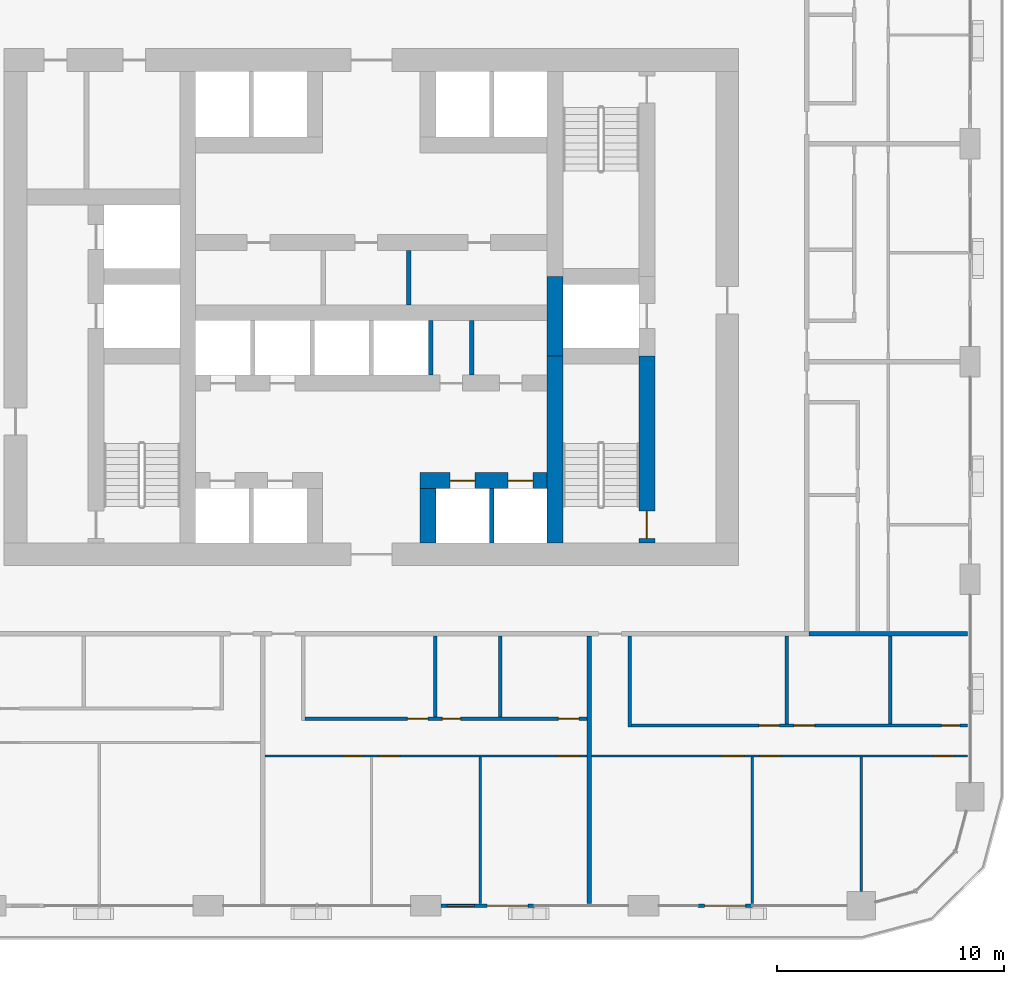
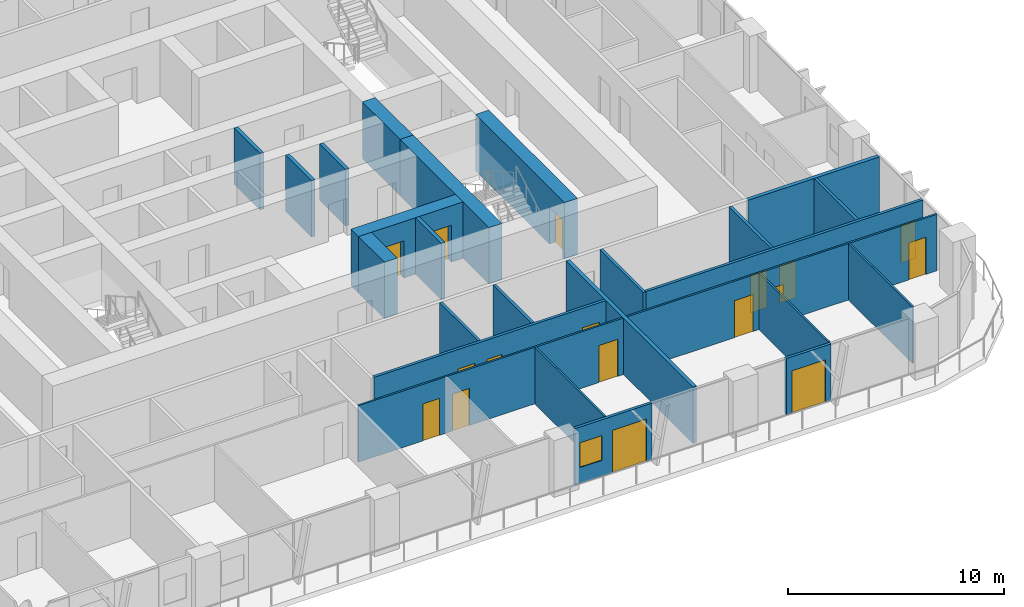
# One storey, part 11 of 21: 25 walls, 17 doors, 1 window, 18 openings.
"""IFC4 building model written with IfcOpenShell, lengths in metres."""

from ifc_helpers import new_model, si_unit, direction, frame, frame_2d, origin, place, context, subcontext, project, spatial, rectangle, extrude, material, layer, layer_set, type_object, element, fill, save


model = new_model("IFC4")

# Units and contexts
model_context = context("Model", 3, precision=1e-05, world=origin(), true_north=direction((0.0, 1.0)))
body_context = subcontext(model_context, "Body", "Model", "MODEL_VIEW")
ifc_project = project(units=[si_unit("LENGTHUNIT", "METRE"), si_unit("AREAUNIT", "SQUARE_METRE"), si_unit("VOLUMEUNIT", "CUBIC_METRE"), si_unit("PLANEANGLEUNIT", "RADIAN"), si_unit("MASSUNIT", "GRAM", prefix="KILO")], contexts=[model_context])

# Site, building, storey
site_placement = place(None, origin())
site = spatial("IfcSite", under=ifc_project, at=site_placement, CompositionType="ELEMENT")
building_placement = place(site_placement, origin())
building = spatial("IfcBuilding", under=site, at=building_placement, Name="Madar Terraces", CompositionType="ELEMENT")
storey_placement = place(building_placement, frame((0.0, 0.0, 43.39990234375)))
storey = spatial("IfcBuildingStorey", under=building, at=storey_placement, Name="L10", CompositionType="ELEMENT", Elevation=43.39990234375)

# Walls
ifc_material_1 = material(Name="Concrete C80/95", Category="concrete")
ifc_layer_1 = layer(ifc_material_1, 0.699951171875)
ifc_layer_set_1 = layer_set([ifc_layer_1], Name="Concrete C80/95 (CIW1 RC wall 700)")
wall_type_1 = type_object("IfcWallType", Name="CIW1 RC wall 700", PredefinedType="SHEAR", material=ifc_layer_set_1)
wall_1_placement = place(storey_placement, frame((39.300048828125, 16.0, 0.0), z_axis=(0.0, 0.0, 1.0), x_axis=(0.0, 1.0, 0.0)))
element("IfcWall", 1, at=wall_1_placement, inside=storey, type_object=wall_type_1, Name="CORE SHAFT WALL", PredefinedType="SHEAR", context=body_context, shape_type="SweptSolid", body=[
    extrude(rectangle(XDim=8.25, YDim=0.699951171875, at=frame_2d((4.125, 0.0))), origin(), (0.0, 0.0, 1.0), 3.2001953125),
])
wall_2_placement = place(storey_placement, frame((39.300048828125, 24.25, 0.0), z_axis=(0.0, 0.0, 1.0), x_axis=(0.0, 1.0, 0.0)))
element("IfcWall", 2, at=wall_2_placement, inside=storey, type_object=wall_type_1, Name="CORE SHAFT WALL", PredefinedType="SHEAR", context=body_context, shape_type="SweptSolid", body=[
    extrude(rectangle(XDim=3.5, YDim=0.699951171875, at=frame_2d((1.75, 0.0))), origin(), (0.0, 0.0, 1.0), 3.2001953125),
])

# Wall, opening, door
wall_3_placement = place(storey_placement, frame((43.35009765625, 16.0, 0.0), z_axis=(0.0, 0.0, 1.0), x_axis=(0.0, 1.0, 0.0)))
wall_3 = element("IfcWall", 3, at=wall_3_placement, inside=storey, type_object=wall_type_1, Name="CORE SHAFT WALL", PredefinedType="SHEAR", context=body_context, shape_type="SweptSolid", body=[
    extrude(rectangle(XDim=8.25, YDim=0.699951171875, at=frame_2d((4.125, 0.0))), origin(), (0.0, 0.0, 1.0), 3.2001953125),
])
opening_1_placement = place(wall_3_placement, frame((0.199951171875, 0.0, 0.0)))
opening_1 = element("IfcOpeningElement", 4, at=opening_1_placement, cuts=wall_3, Name="Opening SD1", PredefinedType="OPENING", context=body_context, shape_type="SweptSolid", body=[
    extrude(rectangle(XDim=1.199951171875, YDim=2.10009765625, at=frame_2d((0.60009765625, 1.050048828125))), frame((0.0, 0.35986328125, 0.0), z_axis=(0.0, -1.0, 0.0), x_axis=(1.0, 0.0, 0.0)), (0.0, 0.0, 1.0), 0.719970703125),
])
ifc_material_2 = material(Name="Steel door leaf", Category="steel")
door_type_1 = type_object("IfcDoorType", Name="Stair door 1200 x 2100", OperationType="NOTDEFINED", PredefinedType="DOOR", material=ifc_material_2)
door_1_placement = place(opening_1_placement, origin())
door_1 = element("IfcDoor", 5, at=door_1_placement, inside=storey, type_object=door_type_1, Name="STAIR DOOR", OperationType="SINGLE_SWING_LEFT", OverallHeight=2.10009765625, OverallWidth=1.199951171875, PredefinedType="DOOR", context=body_context, shape_type="SweptSolid", body=[
    extrude(rectangle(XDim=1.199951171875, YDim=2.10009765625, at=frame_2d((0.60009765625, 1.050048828125))), frame((0.0, 0.02490234375, 0.0), z_axis=(0.0, -1.0, 0.0), x_axis=(1.0, 0.0, 0.0)), (0.0, 0.0, 1.0), 0.050048828125),
])
fill(opening_1, door_1)

# Wall, openings, doors
wall_4_placement = place(storey_placement, frame((33.35009765625, 18.75, 0.0), z_axis=(0.0, 0.0, 1.0), x_axis=(1.0, 0.0, 0.0)))
wall_4 = element("IfcWall", 6, at=wall_4_placement, inside=storey, type_object=wall_type_1, Name="CORE SHAFT WALL", PredefinedType="SHEAR", context=body_context, shape_type="SweptSolid", body=[
    extrude(rectangle(XDim=5.599853515625, YDim=0.699951171875, at=frame_2d((2.7998046875, 0.0))), origin(), (0.0, 0.0, 1.0), 3.2001953125),
])
opening_2_placement = place(wall_4_placement, frame((1.324951171875, 0.0, 0.0)))
opening_2 = element("IfcOpeningElement", 7, at=opening_2_placement, cuts=wall_4, Name="Opening LD", PredefinedType="OPENING", context=body_context, shape_type="SweptSolid", body=[
    extrude(rectangle(XDim=1.10009765625, YDim=2.10009765625, at=frame_2d((0.550048828125, 1.050048828125))), frame((0.0, 0.35986328125, 0.0), z_axis=(0.0, -1.0, 0.0), x_axis=(1.0, 0.0, 0.0)), (0.0, 0.0, 1.0), 0.719970703125),
])
opening_3_placement = place(wall_4_placement, frame((3.875, 0.0, 0.0)))
opening_3 = element("IfcOpeningElement", 8, at=opening_3_placement, cuts=wall_4, Name="Opening LD", PredefinedType="OPENING", context=body_context, shape_type="SweptSolid", body=[
    extrude(rectangle(XDim=1.10009765625, YDim=2.10009765625, at=frame_2d((0.550048828125, 1.050048828125))), frame((0.0, 0.35986328125, 0.0), z_axis=(0.0, -1.0, 0.0), x_axis=(1.0, 0.0, 0.0)), (0.0, 0.0, 1.0), 0.719970703125),
])
ifc_material_3 = material(Name="Stainless steel panel", Category="steel")
door_type_2 = type_object("IfcDoorType", Name="Lift landing door 1100 x 2100", OperationType="DOUBLE_DOOR_SLIDING", PredefinedType="DOOR", material=ifc_material_3)
door_2_placement = place(opening_2_placement, origin())
door_2 = element("IfcDoor", 9, at=door_2_placement, inside=storey, type_object=door_type_2, Name="LIFT LANDING DOOR", OperationType="DOUBLE_DOOR_SLIDING", OverallHeight=2.10009765625, OverallWidth=1.10009765625, PredefinedType="DOOR", context=body_context, shape_type="SweptSolid", body=[
    extrude(rectangle(XDim=1.10009765625, YDim=2.10009765625, at=frame_2d((0.550048828125, 1.050048828125))), frame((0.0, 0.02490234375, 0.0), z_axis=(0.0, -1.0, 0.0), x_axis=(1.0, 0.0, 0.0)), (0.0, 0.0, 1.0), 0.050048828125),
])
fill(opening_2, door_2)
door_3_placement = place(opening_3_placement, origin())
door_3 = element("IfcDoor", 10, at=door_3_placement, inside=storey, type_object=door_type_2, Name="LIFT LANDING DOOR", OperationType="DOUBLE_DOOR_SLIDING", OverallHeight=2.10009765625, OverallWidth=1.10009765625, PredefinedType="DOOR", context=body_context, shape_type="SweptSolid", body=[
    extrude(rectangle(XDim=1.10009765625, YDim=2.10009765625, at=frame_2d((0.550048828125, 1.050048828125))), frame((0.0, 0.02490234375, 0.0), z_axis=(0.0, -1.0, 0.0), x_axis=(1.0, 0.0, 0.0)), (0.0, 0.0, 1.0), 0.050048828125),
])
fill(opening_3, door_3)

# Walls
wall_5_placement = place(storey_placement, frame((33.699951171875, 16.0, 0.0), z_axis=(0.0, 0.0, 1.0), x_axis=(0.0, 1.0, 0.0)))
element("IfcWall", 11, at=wall_5_placement, inside=storey, type_object=wall_type_1, Name="CORE SHAFT WALL", PredefinedType="SHEAR", context=body_context, shape_type="SweptSolid", body=[
    extrude(rectangle(XDim=2.39990234375, YDim=0.699951171875, at=frame_2d((1.199951171875, 0.0))), origin(), (0.0, 0.0, 1.0), 3.2001953125),
])
ifc_material_4 = material(Name="Masonry blockwork", Category="masonry")
ifc_layer_2 = layer(ifc_material_4, 0.199951171875)
ifc_layer_set_2 = layer_set([ifc_layer_2], Name="Core partition 200 blockwork")
wall_type_2 = type_object("IfcWallType", Name="Core partition 200 blockwork", PredefinedType="PARTITIONING", material=ifc_layer_set_2)
wall_6_placement = place(storey_placement, frame((35.6279296875, 23.39990234375, 0.0), z_axis=(0.0, 0.0, 1.0), x_axis=(0.0, 1.0, 0.0)))
element("IfcWall", 12, at=wall_6_placement, inside=storey, type_object=wall_type_2, Name="SERVICE ROOM PARTITION", PredefinedType="PARTITIONING", context=body_context, shape_type="SweptSolid", body=[
    extrude(rectangle(XDim=2.400146484375, YDim=0.199951171875, at=frame_2d((1.2001953125, 0.0))), origin(), (0.0, 0.0, 1.0), 3.2001953125),
])
wall_7_placement = place(storey_placement, frame((32.853271484375, 26.5, 0.0), z_axis=(0.0, 0.0, 1.0), x_axis=(0.0, 1.0, 0.0)))
element("IfcWall", 13, at=wall_7_placement, inside=storey, type_object=wall_type_2, Name="SERVICE ROOM PARTITION", PredefinedType="PARTITIONING", context=body_context, shape_type="SweptSolid", body=[
    extrude(rectangle(XDim=2.39990234375, YDim=0.199951171875, at=frame_2d((1.199951171875, 0.0))), origin(), (0.0, 0.0, 1.0), 3.2001953125),
])
ifc_material_5 = material(Name="Concrete C40/50", Category="concrete")
ifc_layer_3 = layer(ifc_material_5, 0.199951171875)
ifc_layer_set_3 = layer_set([ifc_layer_3], Name="Core shaft dividing wall 200 C40/50")
wall_type_3 = type_object("IfcWallType", Name="Core shaft dividing wall 200 C40/50", PredefinedType="SOLIDWALL", material=ifc_layer_set_3)
wall_8_placement = place(storey_placement, frame((33.816650390625, 23.39990234375, 0.0), z_axis=(0.0, 0.0, 1.0), x_axis=(0.0, 1.0, 0.0)))
element("IfcWall", 14, at=wall_8_placement, inside=storey, type_object=wall_type_3, Name="SHAFT DIVIDING WALL", PredefinedType="SOLIDWALL", context=body_context, shape_type="SweptSolid", body=[
    extrude(rectangle(XDim=2.400146484375, YDim=0.199951171875, at=frame_2d((1.2001953125, 0.0))), origin(), (0.0, 0.0, 1.0), 3.2001953125),
])
wall_9_placement = place(storey_placement, frame((36.5, 16.0, 0.0), z_axis=(0.0, 0.0, 1.0), x_axis=(0.0, 1.0, 0.0)))
element("IfcWall", 15, at=wall_9_placement, inside=storey, type_object=wall_type_3, Name="SHAFT DIVIDING WALL", PredefinedType="SOLIDWALL", context=body_context, shape_type="SweptSolid", body=[
    extrude(rectangle(XDim=2.39990234375, YDim=0.199951171875, at=frame_2d((1.199951171875, 0.0))), origin(), (0.0, 0.0, 1.0), 3.2001953125),
])

# Wall, openings, door, window
ifc_material_6 = material(Name="Aluminium composite panel, black, over insulated backing", Category="aluminium")
ifc_layer_4 = layer(ifc_material_6, 0.14990234375)
ifc_layer_set_4 = layer_set([ifc_layer_4], Name="Facade bay panel 150")
wall_type_4 = type_object("IfcWallType", Name="Facade bay panel 150", PredefinedType="SOLIDWALL", material=ifc_layer_set_4)
wall_10_placement = place(storey_placement, frame((34.27490234375, 0.0, 0.0), z_axis=(0.0, 0.0, 1.0), x_axis=(1.0, 0.0, 0.0)))
wall_10 = element("IfcWall", 16, at=wall_10_placement, inside=storey, type_object=wall_type_4, Name="Facade bay panel", PredefinedType="SOLIDWALL", context=body_context, shape_type="SweptSolid", body=[
    extrude(rectangle(XDim=4.125, YDim=0.14990234375, at=frame_2d((2.0625, 0.0))), origin(), (0.0, 0.0, 1.0), 3.2001953125),
])
opening_4_placement = place(wall_10_placement, frame((0.262451171875, 0.0, 0.89990234375)))
opening_4 = element("IfcOpeningElement", 17, at=opening_4_placement, cuts=wall_10, Name="Opening W1", PredefinedType="OPENING", context=body_context, shape_type="SweptSolid", body=[
    extrude(rectangle(XDim=1.199951171875, YDim=1.39990234375, at=frame_2d((0.60009765625, 0.699951171875))), frame((0.0, 0.0849609375, 0.0), z_axis=(0.0, -1.0, 0.0), x_axis=(1.0, 0.0, 0.0)), (0.0, 0.0, 1.0), 0.169921875),
])
opening_5_placement = place(wall_10_placement, frame((2.02490234375, 0.0, 0.0)))
opening_5 = element("IfcOpeningElement", 18, at=opening_5_placement, cuts=wall_10, Name="Opening ED1", PredefinedType="OPENING", context=body_context, shape_type="SweptSolid", body=[
    extrude(rectangle(XDim=1.800048828125, YDim=2.39990234375, at=frame_2d((0.89990234375, 1.199951171875))), frame((0.0, 0.0849609375, 0.0), z_axis=(0.0, -1.0, 0.0), x_axis=(1.0, 0.0, 0.0)), (0.0, 0.0, 1.0), 0.169921875),
])
ifc_material_7 = material(Name="Glass, clear, with black aluminium frame", Category="aluminium")
door_type_3 = type_object("IfcDoorType", Name="Balcony and terrace sliding door 1800 x 2400", OperationType="SLIDING_TO_LEFT", PredefinedType="DOOR", material=ifc_material_7)
door_4_placement = place(opening_5_placement, origin())
door_4 = element("IfcDoor", 19, at=door_4_placement, inside=storey, type_object=door_type_3, Name="Balcony door", OperationType="SLIDING_TO_RIGHT", OverallHeight=2.39990234375, OverallWidth=1.800048828125, PredefinedType="DOOR", context=body_context, shape_type="SweptSolid", body=[
    extrude(rectangle(XDim=1.800048828125, YDim=2.39990234375, at=frame_2d((0.89990234375, 1.199951171875))), frame((0.0, 0.02490234375, 0.0), z_axis=(0.0, -1.0, 0.0), x_axis=(1.0, 0.0, 0.0)), (0.0, 0.0, 1.0), 0.050048828125),
])
fill(opening_5, door_4)
ifc_material_8 = material(Name="Glass, clear, with black aluminium frame", Category="aluminium")
window_type = type_object("IfcWindowType", Name="Vent window 1200 x 1400", PartitioningType="SINGLE_PANEL", PredefinedType="WINDOW", material=ifc_material_8)
window_placement = place(opening_4_placement, origin())
window = element("IfcWindow", 20, at=window_placement, inside=storey, type_object=window_type, Name="Operable vent window", OverallHeight=1.39990234375, OverallWidth=1.199951171875, PartitioningType="SINGLE_PANEL", PredefinedType="WINDOW", context=body_context, shape_type="SweptSolid", body=[
    extrude(rectangle(XDim=1.199951171875, YDim=1.39990234375, at=frame_2d((0.60009765625, 0.699951171875))), frame((0.0, 0.030029296875, 0.0), z_axis=(0.0, -1.0, 0.0), x_axis=(1.0, 0.0, 0.0)), (0.0, 0.0, 1.0), 0.06005859375),
])
fill(opening_4, window)

# Wall, opening, door
wall_11_placement = place(storey_placement, frame((45.60009765625, 0.0, 0.0), z_axis=(0.0, 0.0, 1.0), x_axis=(1.0, 0.0, 0.0)))
wall_11 = element("IfcWall", 21, at=wall_11_placement, inside=storey, type_object=wall_type_4, Name="Facade bay panel", PredefinedType="SOLIDWALL", context=body_context, shape_type="SweptSolid", body=[
    extrude(rectangle(XDim=2.39990234375, YDim=0.14990234375, at=frame_2d((1.199951171875, 0.0))), origin(), (0.0, 0.0, 1.0), 3.2001953125),
])
opening_6_placement = place(wall_11_placement, frame((0.300048828125, 0.0, 0.0)))
opening_6 = element("IfcOpeningElement", 22, at=opening_6_placement, cuts=wall_11, Name="Opening ED1", PredefinedType="OPENING", context=body_context, shape_type="SweptSolid", body=[
    extrude(rectangle(XDim=1.800048828125, YDim=2.39990234375, at=frame_2d((0.89990234375, 1.199951171875))), frame((0.0, 0.0849609375, 0.0), z_axis=(0.0, -1.0, 0.0), x_axis=(1.0, 0.0, 0.0)), (0.0, 0.0, 1.0), 0.169921875),
])
door_5_placement = place(opening_6_placement, origin())
door_5 = element("IfcDoor", 23, at=door_5_placement, inside=storey, type_object=door_type_3, Name="Balcony door", OperationType="SLIDING_TO_LEFT", OverallHeight=2.39990234375, OverallWidth=1.800048828125, PredefinedType="DOOR", context=body_context, shape_type="SweptSolid", body=[
    extrude(rectangle(XDim=1.800048828125, YDim=2.39990234375, at=frame_2d((0.89990234375, 1.199951171875))), frame((0.0, 0.02490234375, 0.0), z_axis=(0.0, -1.0, 0.0), x_axis=(1.0, 0.0, 0.0)), (0.0, 0.0, 1.0), 0.050048828125),
])
fill(opening_6, door_5)

# Wall
ifc_material_9 = material(Name="Gypsum board on steel studs", Category="steel")
ifc_layer_5 = layer(ifc_material_9, 0.10009765625)
ifc_layer_set_5 = layer_set([ifc_layer_5], Name="Flat partition 100")
wall_type_5 = type_object("IfcWallType", Name="Flat partition 100", PredefinedType="PARTITIONING", material=ifc_layer_set_5)
wall_12_placement = place(storey_placement, frame((36.0, 6.550048828125, 0.0), z_axis=(0.0, 0.0, 1.0), x_axis=(0.0, -1.0, 0.0)))
element("IfcWall", 24, at=wall_12_placement, inside=storey, type_object=wall_type_5, Name="Flat partition 100", PredefinedType="PARTITIONING", context=body_context, shape_type="SweptSolid", body=[
    extrude(rectangle(XDim=6.449951171875, YDim=0.10009765625, at=frame_2d((3.22509765625, 0.0))), origin(), (0.0, 0.0, 1.0), 3.2001953125),
])

# Wall, openings, doors
wall_13_placement = place(storey_placement, frame((40.699951171875, 6.60009765625, 0.0), z_axis=(0.0, 0.0, 1.0), x_axis=(-1.0, 0.0, 0.0)))
wall_13 = element("IfcWall", 25, at=wall_13_placement, inside=storey, type_object=wall_type_5, Name="Flat partition 100", PredefinedType="PARTITIONING", context=body_context, shape_type="SweptSolid", body=[
    extrude(rectangle(XDim=14.199951171875, YDim=0.10009765625, at=frame_2d((7.10009765625, 0.0))), origin(), (0.0, 0.0, 1.0), 3.2001953125),
])
opening_7_placement = place(wall_13_placement, frame((9.85009765625, 0.0, 0.0)))
opening_7 = element("IfcOpeningElement", 26, at=opening_7_placement, cuts=wall_13, Name="Opening D2", PredefinedType="OPENING", context=body_context, shape_type="SweptSolid", body=[
    extrude(rectangle(XDim=0.89990234375, YDim=2.10009765625, at=frame_2d((0.449951171875, 1.050048828125))), frame((0.0, 0.06005859375, 0.0), z_axis=(0.0, -1.0, 0.0), x_axis=(1.0, 0.0, 0.0)), (0.0, 0.0, 1.0), 0.1201171875),
])
opening_8_placement = place(wall_13_placement, frame((8.25, 0.0, 0.0)))
opening_8 = element("IfcOpeningElement", 27, at=opening_8_placement, cuts=wall_13, Name="Opening D2", PredefinedType="OPENING", context=body_context, shape_type="SweptSolid", body=[
    extrude(rectangle(XDim=0.89990234375, YDim=2.10009765625, at=frame_2d((0.449951171875, 1.050048828125))), frame((0.0, 0.06005859375, 0.0), z_axis=(0.0, -1.0, 0.0), x_axis=(1.0, 0.0, 0.0)), (0.0, 0.0, 1.0), 0.1201171875),
])
opening_9_placement = place(wall_13_placement, frame((0.300048828125, 0.0, 0.0)))
opening_9 = element("IfcOpeningElement", 28, at=opening_9_placement, cuts=wall_13, Name="Opening D3", PredefinedType="OPENING", context=body_context, shape_type="SweptSolid", body=[
    extrude(rectangle(XDim=1.0, YDim=2.10009765625, at=frame_2d((0.5, 1.050048828125))), frame((0.0, 0.06005859375, 0.0), z_axis=(0.0, -1.0, 0.0), x_axis=(1.0, 0.0, 0.0)), (0.0, 0.0, 1.0), 0.1201171875),
])
ifc_material_10 = material(Name="Timber door leaf", Category="wood")
door_type_4 = type_object("IfcDoorType", Name="Flat living room door 1000", OperationType="NOTDEFINED", PredefinedType="DOOR", material=ifc_material_10)
door_6_placement = place(opening_9_placement, origin())
door_6 = element("IfcDoor", 29, at=door_6_placement, inside=storey, type_object=door_type_4, Name="Flat living room door 1000", OperationType="SINGLE_SWING_LEFT", OverallHeight=2.10009765625, OverallWidth=1.0, PredefinedType="DOOR", context=body_context, shape_type="SweptSolid", body=[
    extrude(rectangle(XDim=1.0, YDim=2.10009765625, at=frame_2d((0.5, 1.050048828125))), frame((0.0, 0.02490234375, 0.0), z_axis=(0.0, -1.0, 0.0), x_axis=(1.0, 0.0, 0.0)), (0.0, 0.0, 1.0), 0.050048828125),
])
fill(opening_9, door_6)
ifc_material_11 = material(Name="Timber door leaf", Category="wood")
door_type_5 = type_object("IfcDoorType", Name="Flat room door 900", OperationType="NOTDEFINED", PredefinedType="DOOR", material=ifc_material_11)
door_7_placement = place(opening_7_placement, origin())
door_7 = element("IfcDoor", 30, at=door_7_placement, inside=storey, type_object=door_type_5, Name="Flat room door 900", OperationType="SINGLE_SWING_LEFT", OverallHeight=2.10009765625, OverallWidth=0.89990234375, PredefinedType="DOOR", context=body_context, shape_type="SweptSolid", body=[
    extrude(rectangle(XDim=0.89990234375, YDim=2.10009765625, at=frame_2d((0.449951171875, 1.050048828125))), frame((0.0, 0.02490234375, 0.0), z_axis=(0.0, -1.0, 0.0), x_axis=(1.0, 0.0, 0.0)), (0.0, 0.0, 1.0), 0.050048828125),
])
fill(opening_7, door_7)
door_8_placement = place(opening_8_placement, origin())
door_8 = element("IfcDoor", 31, at=door_8_placement, inside=storey, type_object=door_type_5, Name="Flat room door 900", OperationType="SINGLE_SWING_RIGHT", OverallHeight=2.10009765625, OverallWidth=0.89990234375, PredefinedType="DOOR", context=body_context, shape_type="SweptSolid", body=[
    extrude(rectangle(XDim=0.89990234375, YDim=2.10009765625, at=frame_2d((0.449951171875, 1.050048828125))), frame((0.0, 0.02490234375, 0.0), z_axis=(0.0, -1.0, 0.0), x_axis=(1.0, 0.0, 0.0)), (0.0, 0.0, 1.0), 0.050048828125),
])
fill(opening_8, door_8)

# Walls
wall_14_placement = place(storey_placement, frame((48.0, 6.550048828125, 0.0), z_axis=(0.0, 0.0, 1.0), x_axis=(0.0, -1.0, 0.0)))
element("IfcWall", 32, at=wall_14_placement, inside=storey, type_object=wall_type_5, Name="Flat partition 100", PredefinedType="PARTITIONING", context=body_context, shape_type="SweptSolid", body=[
    extrude(rectangle(XDim=6.449951171875, YDim=0.10009765625, at=frame_2d((3.22509765625, 0.0))), origin(), (0.0, 0.0, 1.0), 3.2001953125),
])
wall_15_placement = place(storey_placement, frame((52.800048828125, 6.550048828125, 0.0), z_axis=(0.0, 0.0, 1.0), x_axis=(0.0, -1.0, 0.0)))
element("IfcWall", 33, at=wall_15_placement, inside=storey, type_object=wall_type_5, Name="Flat partition 100", PredefinedType="PARTITIONING", context=body_context, shape_type="SweptSolid", body=[
    extrude(rectangle(XDim=5.925048828125, YDim=0.10009765625, at=frame_2d((2.96240234375, 0.0))), origin(), (0.0, 0.0, 1.0), 3.2001953125),
])

# Wall, openings, doors
wall_16_placement = place(storey_placement, frame((57.5, 6.60009765625, 0.0), z_axis=(0.0, 0.0, 1.0), x_axis=(-1.0, 0.0, 0.0)))
wall_16 = element("IfcWall", 34, at=wall_16_placement, inside=storey, type_object=wall_type_5, Name="Flat partition 100", PredefinedType="PARTITIONING", context=body_context, shape_type="SweptSolid", body=[
    extrude(rectangle(XDim=16.60009765625, YDim=0.10009765625, at=frame_2d((8.300048828125, 0.0))), origin(), (0.0, 0.0, 1.0), 3.2001953125),
])
opening_10_placement = place(wall_16_placement, frame((9.85009765625, 0.0, 0.0)))
opening_10 = element("IfcOpeningElement", 35, at=opening_10_placement, cuts=wall_16, Name="Opening D3", PredefinedType="OPENING", context=body_context, shape_type="SweptSolid", body=[
    extrude(rectangle(XDim=1.0, YDim=2.10009765625, at=frame_2d((0.5, 1.050048828125))), frame((0.0, 0.06005859375, 0.0), z_axis=(0.0, -1.0, 0.0), x_axis=(1.0, 0.0, 0.0)), (0.0, 0.0, 1.0), 0.1201171875),
])
opening_11_placement = place(wall_16_placement, frame((8.25, 0.0, 0.0)))
opening_11 = element("IfcOpeningElement", 36, at=opening_11_placement, cuts=wall_16, Name="Opening D2", PredefinedType="OPENING", context=body_context, shape_type="SweptSolid", body=[
    extrude(rectangle(XDim=0.89990234375, YDim=2.10009765625, at=frame_2d((0.449951171875, 1.050048828125))), frame((0.0, 0.06005859375, 0.0), z_axis=(0.0, -1.0, 0.0), x_axis=(1.0, 0.0, 0.0)), (0.0, 0.0, 1.0), 0.1201171875),
])
opening_12_placement = place(wall_16_placement, frame((0.60009765625, 0.0, 0.0)))
opening_12 = element("IfcOpeningElement", 37, at=opening_12_placement, cuts=wall_16, Name="Opening D2", PredefinedType="OPENING", context=body_context, shape_type="SweptSolid", body=[
    extrude(rectangle(XDim=0.89990234375, YDim=2.10009765625, at=frame_2d((0.449951171875, 1.050048828125))), frame((0.0, 0.06005859375, 0.0), z_axis=(0.0, -1.0, 0.0), x_axis=(1.0, 0.0, 0.0)), (0.0, 0.0, 1.0), 0.1201171875),
])
door_9_placement = place(opening_10_placement, origin())
door_9 = element("IfcDoor", 38, at=door_9_placement, inside=storey, type_object=door_type_4, Name="Flat living room door 1000", OperationType="SINGLE_SWING_LEFT", OverallHeight=2.10009765625, OverallWidth=1.0, PredefinedType="DOOR", context=body_context, shape_type="SweptSolid", body=[
    extrude(rectangle(XDim=1.0, YDim=2.10009765625, at=frame_2d((0.5, 1.050048828125))), frame((0.0, 0.02490234375, 0.0), z_axis=(0.0, -1.0, 0.0), x_axis=(1.0, 0.0, 0.0)), (0.0, 0.0, 1.0), 0.050048828125),
])
fill(opening_10, door_9)
door_10_placement = place(opening_11_placement, origin())
door_10 = element("IfcDoor", 39, at=door_10_placement, inside=storey, type_object=door_type_5, Name="Flat room door 900", OperationType="SINGLE_SWING_RIGHT", OverallHeight=2.10009765625, OverallWidth=0.89990234375, PredefinedType="DOOR", context=body_context, shape_type="SweptSolid", body=[
    extrude(rectangle(XDim=0.89990234375, YDim=2.10009765625, at=frame_2d((0.449951171875, 1.050048828125))), frame((0.0, 0.02490234375, 0.0), z_axis=(0.0, -1.0, 0.0), x_axis=(1.0, 0.0, 0.0)), (0.0, 0.0, 1.0), 0.050048828125),
])
fill(opening_11, door_10)
door_11_placement = place(opening_12_placement, origin())
door_11 = element("IfcDoor", 40, at=door_11_placement, inside=storey, type_object=door_type_5, Name="Flat room door 900", OperationType="SINGLE_SWING_LEFT", OverallHeight=2.10009765625, OverallWidth=0.89990234375, PredefinedType="DOOR", context=body_context, shape_type="SweptSolid", body=[
    extrude(rectangle(XDim=0.89990234375, YDim=2.10009765625, at=frame_2d((0.449951171875, 1.050048828125))), frame((0.0, 0.02490234375, 0.0), z_axis=(0.0, -1.0, 0.0), x_axis=(1.0, 0.0, 0.0)), (0.0, 0.0, 1.0), 0.050048828125),
])
fill(opening_12, door_11)

# Walls
ifc_material_12 = material(Name="Lightweight blockwork", Category="masonry")
ifc_layer_6 = layer(ifc_material_12, 0.199951171875)
ifc_layer_set_6 = layer_set([ifc_layer_6], Name="Flat party and entrance wall 200")
wall_type_6 = type_object("IfcWallType", Name="Flat party and entrance wall 200", PredefinedType="PARTITIONING", material=ifc_layer_set_6)
wall_17_placement = place(storey_placement, frame((40.800048828125, 11.89990234375, 0.0), z_axis=(0.0, 0.0, 1.0), x_axis=(0.0, -1.0, 0.0)))
element("IfcWall", 41, at=wall_17_placement, inside=storey, type_object=wall_type_6, Name="Flat party and entrance wall 200", PredefinedType="PARTITIONING", context=body_context, shape_type="SweptSolid", body=[
    extrude(rectangle(XDim=11.7998046875, YDim=0.199951171875, at=frame_2d((5.89990234375, 0.0))), origin(), (0.0, 0.0, 1.0), 3.2001953125),
])
wall_18_placement = place(storey_placement, frame((50.5, 12.0, 0.0), z_axis=(0.0, 0.0, 1.0), x_axis=(1.0, 0.0, 0.0)))
element("IfcWall", 42, at=wall_18_placement, inside=storey, type_object=wall_type_6, Name="Flat party and entrance wall 200", PredefinedType="PARTITIONING", context=body_context, shape_type="SweptSolid", body=[
    extrude(rectangle(XDim=7.0, YDim=0.199951171875, at=frame_2d((3.5, 0.0))), origin(), (0.0, 0.0, 1.0), 3.2001953125),
])
ifc_material_13 = material(Name="Lightweight blockwork", Category="masonry")
ifc_layer_7 = layer(ifc_material_13, 0.14990234375)
ifc_layer_set_7 = layer_set([ifc_layer_7], Name="Flat wet-room partition 150")
wall_type_7 = type_object("IfcWallType", Name="Flat wet-room partition 150", PredefinedType="PARTITIONING", material=ifc_layer_set_7)
for number, where, z_axis, x_axis, name in (
    (43, (34.009521484375, 11.89990234375, 0.0), (0.0, 0.0, 1.0), (0.0, -1.0, 0.0), "Flat wet-room partition 150"),
    (44, (36.876953125, 11.89990234375, 0.0), (0.0, 0.0, 1.0), (0.0, -1.0, 0.0), "Flat wet-room partition 150"),
):
    element("IfcWall", number, at=place(storey_placement, frame(where, z_axis=z_axis, x_axis=x_axis)), inside=storey, type_object=wall_type_7, Name=name, PredefinedType="PARTITIONING", context=body_context, shape_type="SweptSolid", body=[
        extrude(rectangle(XDim=3.574951171875, YDim=0.14990234375, at=frame_2d((1.78759765625, 0.0))), origin(), (0.0, 0.0, 1.0), 3.2001953125),
    ])

# Wall, openings, doors
wall_19_placement = place(storey_placement, frame((28.27490234375, 8.25, 0.0), z_axis=(0.0, 0.0, 1.0), x_axis=(1.0, 0.0, 0.0)))
wall_19 = element("IfcWall", 45, at=wall_19_placement, inside=storey, type_object=wall_type_7, Name="Flat wet-room partition 150", PredefinedType="PARTITIONING", context=body_context, shape_type="SweptSolid", body=[
    extrude(rectangle(XDim=12.425048828125, YDim=0.14990234375, at=frame_2d((6.21240234375, 0.0))), origin(), (0.0, 0.0, 1.0), 3.2001953125),
])
opening_13_placement = place(wall_19_placement, frame((4.509521484375, 0.0, 0.0)))
opening_13 = element("IfcOpeningElement", 46, at=opening_13_placement, cuts=wall_19, Name="Opening D2", PredefinedType="OPENING", context=body_context, shape_type="SweptSolid", body=[
    extrude(rectangle(XDim=0.89990234375, YDim=2.10009765625, at=frame_2d((0.449951171875, 1.050048828125))), frame((0.0, 0.0849609375, 0.0), z_axis=(0.0, -1.0, 0.0), x_axis=(1.0, 0.0, 0.0)), (0.0, 0.0, 1.0), 0.169921875),
])
opening_14_placement = place(wall_19_placement, frame((6.0595703125, 0.0, 0.0)))
opening_14 = element("IfcOpeningElement", 47, at=opening_14_placement, cuts=wall_19, Name="Opening D4", PredefinedType="OPENING", context=body_context, shape_type="SweptSolid", body=[
    extrude(rectangle(XDim=0.800048828125, YDim=2.10009765625, at=frame_2d((0.39990234375, 1.050048828125))), frame((0.0, 0.0849609375, 0.0), z_axis=(0.0, -1.0, 0.0), x_axis=(1.0, 0.0, 0.0)), (0.0, 0.0, 1.0), 0.169921875),
])
opening_15_placement = place(wall_19_placement, frame((11.175048828125, 0.0, 0.0)))
opening_15 = element("IfcOpeningElement", 48, at=opening_15_placement, cuts=wall_19, Name="Opening D5", PredefinedType="OPENING", context=body_context, shape_type="SweptSolid", body=[
    extrude(rectangle(XDim=0.89990234375, YDim=2.10009765625, at=frame_2d((0.449951171875, 1.050048828125))), frame((0.0, 0.0849609375, 0.0), z_axis=(0.0, -1.0, 0.0), x_axis=(1.0, 0.0, 0.0)), (0.0, 0.0, 1.0), 0.169921875),
])
ifc_material_14 = material(Name="Timber door leaf", Category="wood")
door_type_6 = type_object("IfcDoorType", Name="Flat accessible bathroom door 900", OperationType="NOTDEFINED", PredefinedType="DOOR", material=ifc_material_14)
door_12_placement = place(opening_15_placement, origin())
door_12 = element("IfcDoor", 49, at=door_12_placement, inside=storey, type_object=door_type_6, Name="Flat accessible bathroom door 900", OperationType="SINGLE_SWING_RIGHT", OverallHeight=2.10009765625, OverallWidth=0.89990234375, PredefinedType="DOOR", context=body_context, shape_type="SweptSolid", body=[
    extrude(rectangle(XDim=0.89990234375, YDim=2.10009765625, at=frame_2d((0.449951171875, 1.050048828125))), frame((0.0, 0.02490234375, 0.0), z_axis=(0.0, -1.0, 0.0), x_axis=(1.0, 0.0, 0.0)), (0.0, 0.0, 1.0), 0.050048828125),
])
fill(opening_15, door_12)
ifc_material_15 = material(Name="Timber door leaf", Category="wood")
door_type_7 = type_object("IfcDoorType", Name="Flat bathroom door 800", OperationType="NOTDEFINED", PredefinedType="DOOR", material=ifc_material_15)
door_13_placement = place(opening_14_placement, origin())
door_13 = element("IfcDoor", 50, at=door_13_placement, inside=storey, type_object=door_type_7, Name="Flat bathroom door 800", OperationType="SINGLE_SWING_LEFT", OverallHeight=2.10009765625, OverallWidth=0.800048828125, PredefinedType="DOOR", context=body_context, shape_type="SweptSolid", body=[
    extrude(rectangle(XDim=0.800048828125, YDim=2.10009765625, at=frame_2d((0.39990234375, 1.050048828125))), frame((0.0, 0.02490234375, 0.0), z_axis=(0.0, -1.0, 0.0), x_axis=(1.0, 0.0, 0.0)), (0.0, 0.0, 1.0), 0.050048828125),
])
fill(opening_14, door_13)
door_14_placement = place(opening_13_placement, origin())
door_14 = element("IfcDoor", 51, at=door_14_placement, inside=storey, type_object=door_type_5, Name="Flat room door 900", OperationType="SINGLE_SWING_RIGHT", OverallHeight=2.10009765625, OverallWidth=0.89990234375, PredefinedType="DOOR", context=body_context, shape_type="SweptSolid", body=[
    extrude(rectangle(XDim=0.89990234375, YDim=2.10009765625, at=frame_2d((0.449951171875, 1.050048828125))), frame((0.0, 0.02490234375, 0.0), z_axis=(0.0, -1.0, 0.0), x_axis=(1.0, 0.0, 0.0)), (0.0, 0.0, 1.0), 0.050048828125),
])
fill(opening_13, door_14)

# Walls
for number, where, z_axis, x_axis, name in (
    (52, (49.517333984375, 11.89990234375, 0.0), (0.0, 0.0, 1.0), (0.0, -1.0, 0.0), "Flat wet-room partition 150"),
    (53, (54.078857421875, 11.89990234375, 0.0), (0.0, 0.0, 1.0), (0.0, -1.0, 0.0), "Flat wet-room partition 150"),
):
    element("IfcWall", number, at=place(storey_placement, frame(where, z_axis=z_axis, x_axis=x_axis)), inside=storey, type_object=wall_type_7, Name=name, PredefinedType="PARTITIONING", context=body_context, shape_type="SweptSolid", body=[
        extrude(rectangle(XDim=3.875, YDim=0.14990234375, at=frame_2d((1.9375, 0.0))), origin(), (0.0, 0.0, 1.0), 3.2001953125),
    ])
wall_20_placement = place(storey_placement, frame((42.60009765625, 11.89990234375, 0.0), z_axis=(0.0, 0.0, 1.0), x_axis=(0.0, -1.0, 0.0)))
element("IfcWall", 54, at=wall_20_placement, inside=storey, type_object=wall_type_7, Name="Flat wet-room partition 150", PredefinedType="PARTITIONING", context=body_context, shape_type="SweptSolid", body=[
    extrude(rectangle(XDim=4.02490234375, YDim=0.14990234375, at=frame_2d((2.012451171875, 0.0))), origin(), (0.0, 0.0, 1.0), 3.2001953125),
])

# Wall, openings, doors
wall_21_placement = place(storey_placement, frame((42.675048828125, 7.949951171875, 0.0), z_axis=(0.0, 0.0, 1.0), x_axis=(1.0, 0.0, 0.0)))
wall_21 = element("IfcWall", 55, at=wall_21_placement, inside=storey, type_object=wall_type_7, Name="Flat wet-room partition 150", PredefinedType="PARTITIONING", context=body_context, shape_type="SweptSolid", body=[
    extrude(rectangle(XDim=14.824951171875, YDim=0.14990234375, at=frame_2d((7.41259765625, 0.0))), origin(), (0.0, 0.0, 1.0), 3.2001953125),
])
opening_16_placement = place(wall_21_placement, frame((5.6171875, 0.0, 0.0)))
opening_16 = element("IfcOpeningElement", 56, at=opening_16_placement, cuts=wall_21, Name="Opening D2", PredefinedType="OPENING", context=body_context, shape_type="SweptSolid", body=[
    extrude(rectangle(XDim=0.89990234375, YDim=2.10009765625, at=frame_2d((0.449951171875, 1.050048828125))), frame((0.0, 0.0849609375, 0.0), z_axis=(0.0, -1.0, 0.0), x_axis=(1.0, 0.0, 0.0)), (0.0, 0.0, 1.0), 0.169921875),
])
opening_17_placement = place(wall_21_placement, frame((7.167236328125, 0.0, 0.0)))
opening_17 = element("IfcOpeningElement", 57, at=opening_17_placement, cuts=wall_21, Name="Opening D5", PredefinedType="OPENING", context=body_context, shape_type="SweptSolid", body=[
    extrude(rectangle(XDim=0.89990234375, YDim=2.10009765625, at=frame_2d((0.449951171875, 1.050048828125))), frame((0.0, 0.0849609375, 0.0), z_axis=(0.0, -1.0, 0.0), x_axis=(1.0, 0.0, 0.0)), (0.0, 0.0, 1.0), 0.169921875),
])
opening_18_placement = place(wall_21_placement, frame((13.675048828125, 0.0, 0.0)))
opening_18 = element("IfcOpeningElement", 58, at=opening_18_placement, cuts=wall_21, Name="Opening D4", PredefinedType="OPENING", context=body_context, shape_type="SweptSolid", body=[
    extrude(rectangle(XDim=0.800048828125, YDim=2.10009765625, at=frame_2d((0.39990234375, 1.050048828125))), frame((0.0, 0.0849609375, 0.0), z_axis=(0.0, -1.0, 0.0), x_axis=(1.0, 0.0, 0.0)), (0.0, 0.0, 1.0), 0.169921875),
])
door_15_placement = place(opening_17_placement, origin())
door_15 = element("IfcDoor", 59, at=door_15_placement, inside=storey, type_object=door_type_6, Name="Flat accessible bathroom door 900", OperationType="SINGLE_SWING_LEFT", OverallHeight=2.10009765625, OverallWidth=0.89990234375, PredefinedType="DOOR", context=body_context, shape_type="SweptSolid", body=[
    extrude(rectangle(XDim=0.89990234375, YDim=2.10009765625, at=frame_2d((0.449951171875, 1.050048828125))), frame((0.0, 0.02490234375, 0.0), z_axis=(0.0, -1.0, 0.0), x_axis=(1.0, 0.0, 0.0)), (0.0, 0.0, 1.0), 0.050048828125),
])
fill(opening_17, door_15)
door_16_placement = place(opening_18_placement, origin())
door_16 = element("IfcDoor", 60, at=door_16_placement, inside=storey, type_object=door_type_7, Name="Flat bathroom door 800", OperationType="SINGLE_SWING_RIGHT", OverallHeight=2.10009765625, OverallWidth=0.800048828125, PredefinedType="DOOR", context=body_context, shape_type="SweptSolid", body=[
    extrude(rectangle(XDim=0.800048828125, YDim=2.10009765625, at=frame_2d((0.39990234375, 1.050048828125))), frame((0.0, 0.02490234375, 0.0), z_axis=(0.0, -1.0, 0.0), x_axis=(1.0, 0.0, 0.0)), (0.0, 0.0, 1.0), 0.050048828125),
])
fill(opening_18, door_16)
door_17_placement = place(opening_16_placement, origin())
door_17 = element("IfcDoor", 61, at=door_17_placement, inside=storey, type_object=door_type_5, Name="Flat room door 900", OperationType="SINGLE_SWING_RIGHT", OverallHeight=2.10009765625, OverallWidth=0.89990234375, PredefinedType="DOOR", context=body_context, shape_type="SweptSolid", body=[
    extrude(rectangle(XDim=0.89990234375, YDim=2.10009765625, at=frame_2d((0.449951171875, 1.050048828125))), frame((0.0, 0.02490234375, 0.0), z_axis=(0.0, -1.0, 0.0), x_axis=(1.0, 0.0, 0.0)), (0.0, 0.0, 1.0), 0.050048828125),
])
fill(opening_16, door_17)

save(model, "model.ifc")
